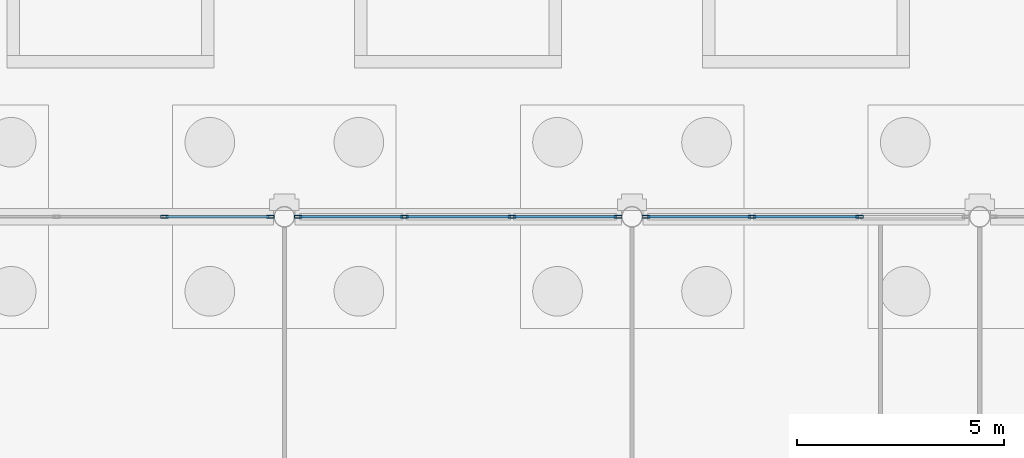
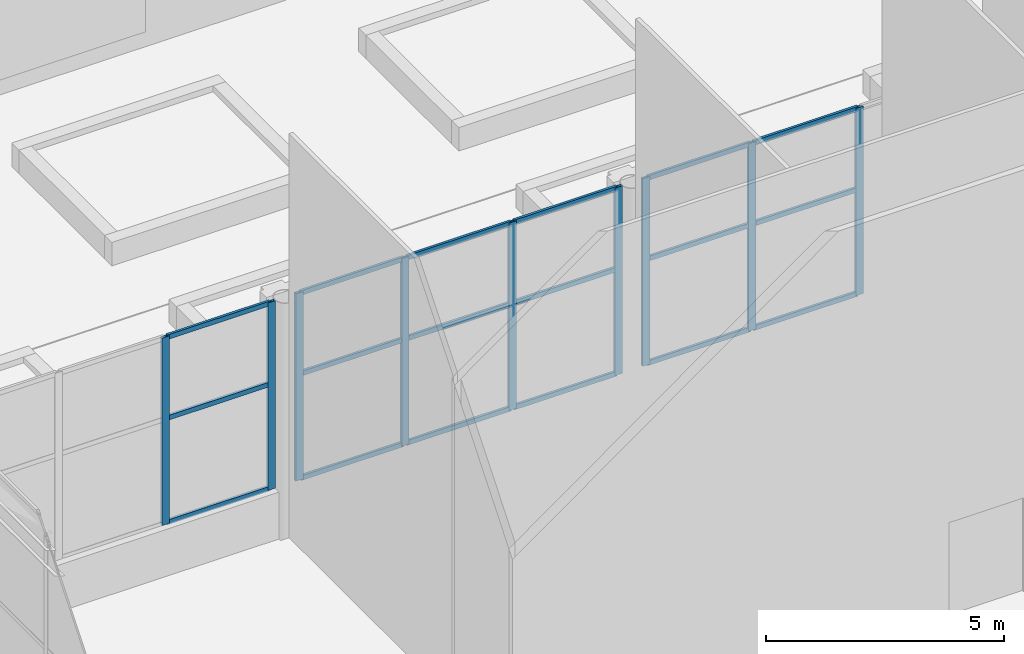
# One storey, part 139 of 212: 27 members, 3 elements without a shape of their own.
"""IFC4 building model written with IfcOpenShell, lengths in metres."""

from ifc_helpers import new_model, si_unit, direction, frame, origin, origin_2d, place, context, subcontext, project, spatial, hollow_rectangle, extrude, material, material_profile, profile_set, type_object, element, aggregate, save


model = new_model("IFC4")

# Units and contexts
model_context = context("Model", 3, precision=1e-05, world=origin(), true_north=direction((0.0, 1.0)))
body_context = subcontext(model_context, "Body", "Model", "MODEL_VIEW")
ifc_project = project(units=[si_unit("LENGTHUNIT", "METRE"), si_unit("AREAUNIT", "SQUARE_METRE"), si_unit("VOLUMEUNIT", "CUBIC_METRE"), si_unit("PLANEANGLEUNIT", "RADIAN"), si_unit("MASSUNIT", "GRAM", prefix="KILO")], contexts=[model_context])

# Site, building, storey
site_placement = place(None, origin())
site = spatial("IfcSite", under=ifc_project, at=site_placement, CompositionType="ELEMENT")
building_placement = place(site_placement, origin())
building = spatial("IfcBuilding", under=site, at=building_placement, Name="Catenary Quay Ferry Terminal", CompositionType="ELEMENT")
storey_placement = place(building_placement, origin())
storey = spatial("IfcBuildingStorey", under=building, at=storey_placement, Name="L00", CompositionType="ELEMENT", Elevation=0.0)

# Curtain wall, members
ifc_material_1 = material(Name="Aluminium and glass", Category="aluminium")
curtain_wall_type_1 = type_object("IfcCurtainWallType", Name="CWH", PredefinedType="NOTDEFINED", material=ifc_material_1)
curtain_wall_1_placement = place(storey_placement, origin())
curtain_wall_1 = element("IfcCurtainWall", 1, at=curtain_wall_1_placement, inside=storey, type_object=curtain_wall_type_1, Name="Hall curtain wall CW40", PredefinedType="NOTDEFINED")
ifc_material_2 = material(Name="Aluminium", Category="aluminium")
ifc_material_profile_1 = material_profile(ifc_material_2, hollow_rectangle(XDim=0.070068359375, YDim=0.179931640625, WallThickness=0.006103515625, at=origin_2d()), Name="MU3")
ifc_profile_set_1 = profile_set([ifc_material_profile_1], Name="Aluminium")
member_type_1 = type_object("IfcMemberType", Name="MU3", PredefinedType="MULLION", material=ifc_profile_set_1)
member_1_placement = place(storey_placement, frame((30.699951171875, 142.800048828125, 1.199951171875), z_axis=(0.0, 0.0, 1.0), x_axis=(0.0, 1.0, 0.0)))
member_1 = element("IfcMember", 2, at=member_1_placement, type_object=member_type_1, Name="CW40 mullion 3", PredefinedType="MULLION", context=body_context, shape_type="SweptSolid", body=[
    extrude(hollow_rectangle(XDim=0.070068359375, YDim=0.179931640625, WallThickness=0.006103515625, at=origin_2d()), origin(), (0.0, 0.0, 1.0), 4.800048828125),
])
member_2_placement = place(storey_placement, frame((33.264892578125, 142.800048828125, 1.199951171875), z_axis=(0.0, 0.0, 1.0), x_axis=(0.0, 1.0, 0.0)))
member_2 = element("IfcMember", 3, at=member_2_placement, type_object=member_type_1, Name="CW40 mullion 4", PredefinedType="MULLION", context=body_context, shape_type="SweptSolid", body=[
    extrude(hollow_rectangle(XDim=0.070068359375, YDim=0.179931640625, WallThickness=0.006103515625, at=origin_2d()), origin(), (0.0, 0.0, 1.0), 4.800048828125),
])

ifc_material_3 = material(Name="Aluminium and glass", Category="aluminium")
curtain_wall_type_2 = type_object("IfcCurtainWallType", Name="CWW4", PredefinedType="NOTDEFINED", material=ifc_material_3)
curtain_wall_2_placement = place(storey_placement, origin())
curtain_wall_2 = element("IfcCurtainWall", 4, at=curtain_wall_2_placement, inside=storey, type_object=curtain_wall_type_2, Name="Hall curtain wall CW41", PredefinedType="NOTDEFINED")
member_3_placement = place(storey_placement, frame((33.93505859375, 142.800048828125, 1.199951171875), z_axis=(0.0, 0.0, 1.0), x_axis=(0.0, 1.0, 0.0)))
member_3 = element("IfcMember", 5, at=member_3_placement, type_object=member_type_1, Name="CW41 mullion 1", PredefinedType="MULLION", context=body_context, shape_type="SweptSolid", body=[
    extrude(hollow_rectangle(XDim=0.070068359375, YDim=0.179931640625, WallThickness=0.006103515625, at=origin_2d()), origin(), (0.0, 0.0, 1.0), 4.800048828125),
])
member_4_placement = place(storey_placement, frame((36.5, 142.800048828125, 1.199951171875), z_axis=(0.0, 0.0, 1.0), x_axis=(0.0, 1.0, 0.0)))
member_4 = element("IfcMember", 6, at=member_4_placement, type_object=member_type_1, Name="CW41 mullion 2", PredefinedType="MULLION", context=body_context, shape_type="SweptSolid", body=[
    extrude(hollow_rectangle(XDim=0.070068359375, YDim=0.179931640625, WallThickness=0.006103515625, at=origin_2d()), origin(), (0.0, 0.0, 1.0), 4.800048828125),
])
member_5_placement = place(storey_placement, frame((39.10009765625, 142.800048828125, 1.199951171875), z_axis=(0.0, 0.0, 1.0), x_axis=(0.0, 1.0, 0.0)))
member_5 = element("IfcMember", 7, at=member_5_placement, type_object=member_type_1, Name="CW41 mullion 3", PredefinedType="MULLION", context=body_context, shape_type="SweptSolid", body=[
    extrude(hollow_rectangle(XDim=0.070068359375, YDim=0.179931640625, WallThickness=0.006103515625, at=origin_2d()), origin(), (0.0, 0.0, 1.0), 4.800048828125),
])
member_6_placement = place(storey_placement, frame((41.6650390625, 142.800048828125, 1.199951171875), z_axis=(0.0, 0.0, 1.0), x_axis=(0.0, 1.0, 0.0)))
member_6 = element("IfcMember", 8, at=member_6_placement, type_object=member_type_1, Name="CW41 mullion 4", PredefinedType="MULLION", context=body_context, shape_type="SweptSolid", body=[
    extrude(hollow_rectangle(XDim=0.070068359375, YDim=0.179931640625, WallThickness=0.006103515625, at=origin_2d()), origin(), (0.0, 0.0, 1.0), 4.800048828125),
])

curtain_wall_3_placement = place(storey_placement, origin())
curtain_wall_3 = element("IfcCurtainWall", 9, at=curtain_wall_3_placement, inside=storey, type_object=curtain_wall_type_2, Name="Hall curtain wall CW42", PredefinedType="NOTDEFINED")
member_7_placement = place(storey_placement, frame((42.3349609375, 142.800048828125, 1.199951171875), z_axis=(0.0, 0.0, 1.0), x_axis=(0.0, 1.0, 0.0)))
member_7 = element("IfcMember", 10, at=member_7_placement, type_object=member_type_1, Name="CW42 mullion 1", PredefinedType="MULLION", context=body_context, shape_type="SweptSolid", body=[
    extrude(hollow_rectangle(XDim=0.070068359375, YDim=0.179931640625, WallThickness=0.006103515625, at=origin_2d()), origin(), (0.0, 0.0, 1.0), 4.800048828125),
])
member_8_placement = place(storey_placement, frame((44.89990234375, 142.800048828125, 1.199951171875), z_axis=(0.0, 0.0, 1.0), x_axis=(0.0, 1.0, 0.0)))
member_8 = element("IfcMember", 11, at=member_8_placement, type_object=member_type_1, Name="CW42 mullion 2", PredefinedType="MULLION", context=body_context, shape_type="SweptSolid", body=[
    extrude(hollow_rectangle(XDim=0.070068359375, YDim=0.179931640625, WallThickness=0.006103515625, at=origin_2d()), origin(), (0.0, 0.0, 1.0), 4.800048828125),
])
member_9_placement = place(storey_placement, frame((47.5, 142.800048828125, 1.199951171875), z_axis=(0.0, 0.0, 1.0), x_axis=(0.0, 1.0, 0.0)))
member_9 = element("IfcMember", 12, at=member_9_placement, type_object=member_type_1, Name="CW42 mullion 3", PredefinedType="MULLION", context=body_context, shape_type="SweptSolid", body=[
    extrude(hollow_rectangle(XDim=0.070068359375, YDim=0.179931640625, WallThickness=0.006103515625, at=origin_2d()), origin(), (0.0, 0.0, 1.0), 4.800048828125),
])

# Member
ifc_material_4 = material(Name="Aluminium", Category="aluminium")
ifc_material_profile_2 = material_profile(ifc_material_4, hollow_rectangle(XDim=0.06005859375, YDim=0.1201171875, WallThickness=0.0048828125, at=origin_2d()), Name="TR3")
ifc_profile_set_2 = profile_set([ifc_material_profile_2], Name="Aluminium")
member_type_2 = type_object("IfcMemberType", Name="TR3", PredefinedType="USERDEFINED", material=ifc_profile_set_2)
member_10_placement = place(storey_placement, frame((30.735107421875, 142.800048828125, 1.22998046875), z_axis=(1.0, 0.0, 0.0), x_axis=(0.0, 1.0, 0.0)))
member_10 = element("IfcMember", 13, at=member_10_placement, type_object=member_type_2, Name="CW40 transom 3.1", ObjectType="TRANSOM", PredefinedType="USERDEFINED", context=body_context, shape_type="SweptSolid", body=[
    extrude(hollow_rectangle(XDim=0.06005859375, YDim=0.1201171875, WallThickness=0.0048828125, at=origin_2d()), origin(), (0.0, 0.0, 1.0), 2.494873046875),
])

member_11_placement = place(storey_placement, frame((30.735107421875, 142.800048828125, 3.89990234375), z_axis=(1.0, 0.0, 0.0), x_axis=(0.0, 1.0, 0.0)))
member_11 = element("IfcMember", 14, at=member_11_placement, type_object=member_type_2, Name="CW40 transom 3.2", ObjectType="TRANSOM", PredefinedType="USERDEFINED", context=body_context, shape_type="SweptSolid", body=[
    extrude(hollow_rectangle(XDim=0.06005859375, YDim=0.1201171875, WallThickness=0.0048828125, at=origin_2d()), origin(), (0.0, 0.0, 1.0), 2.494873046875),
])

member_12_placement = place(storey_placement, frame((30.735107421875, 142.800048828125, 5.969970703125), z_axis=(1.0, 0.0, 0.0), x_axis=(0.0, 1.0, 0.0)))
member_12 = element("IfcMember", 15, at=member_12_placement, type_object=member_type_2, Name="CW40 transom 3.3", ObjectType="TRANSOM", PredefinedType="USERDEFINED", context=body_context, shape_type="SweptSolid", body=[
    extrude(hollow_rectangle(XDim=0.06005859375, YDim=0.1201171875, WallThickness=0.0048828125, at=origin_2d()), origin(), (0.0, 0.0, 1.0), 2.494873046875),
])

aggregate(curtain_wall_1, [member_1, member_2, member_10, member_11, member_12])

member_13_placement = place(storey_placement, frame((33.969970703125, 142.800048828125, 1.22998046875), z_axis=(1.0, 0.0, 0.0), x_axis=(0.0, 1.0, 0.0)))
member_13 = element("IfcMember", 16, at=member_13_placement, type_object=member_type_2, Name="CW41 transom 1.1", ObjectType="TRANSOM", PredefinedType="USERDEFINED", context=body_context, shape_type="SweptSolid", body=[
    extrude(hollow_rectangle(XDim=0.06005859375, YDim=0.1201171875, WallThickness=0.0048828125, at=origin_2d()), origin(), (0.0, 0.0, 1.0), 2.4951171875),
])

member_14_placement = place(storey_placement, frame((33.969970703125, 142.800048828125, 3.89990234375), z_axis=(1.0, 0.0, 0.0), x_axis=(0.0, 1.0, 0.0)))
member_14 = element("IfcMember", 17, at=member_14_placement, type_object=member_type_2, Name="CW41 transom 1.2", ObjectType="TRANSOM", PredefinedType="USERDEFINED", context=body_context, shape_type="SweptSolid", body=[
    extrude(hollow_rectangle(XDim=0.06005859375, YDim=0.1201171875, WallThickness=0.0048828125, at=origin_2d()), origin(), (0.0, 0.0, 1.0), 2.4951171875),
])

member_15_placement = place(storey_placement, frame((33.969970703125, 142.800048828125, 5.969970703125), z_axis=(1.0, 0.0, 0.0), x_axis=(0.0, 1.0, 0.0)))
member_15 = element("IfcMember", 18, at=member_15_placement, type_object=member_type_2, Name="CW41 transom 1.3", ObjectType="TRANSOM", PredefinedType="USERDEFINED", context=body_context, shape_type="SweptSolid", body=[
    extrude(hollow_rectangle(XDim=0.06005859375, YDim=0.1201171875, WallThickness=0.0048828125, at=origin_2d()), origin(), (0.0, 0.0, 1.0), 2.4951171875),
])

member_16_placement = place(storey_placement, frame((36.534912109375, 142.800048828125, 1.22998046875), z_axis=(1.0, 0.0, 0.0), x_axis=(0.0, 1.0, 0.0)))
member_16 = element("IfcMember", 19, at=member_16_placement, type_object=member_type_2, Name="CW41 transom 2.1", ObjectType="TRANSOM", PredefinedType="USERDEFINED", context=body_context, shape_type="SweptSolid", body=[
    extrude(hollow_rectangle(XDim=0.06005859375, YDim=0.1201171875, WallThickness=0.0048828125, at=origin_2d()), origin(), (0.0, 0.0, 1.0), 2.530029296875),
])

member_17_placement = place(storey_placement, frame((36.534912109375, 142.800048828125, 3.89990234375), z_axis=(1.0, 0.0, 0.0), x_axis=(0.0, 1.0, 0.0)))
member_17 = element("IfcMember", 20, at=member_17_placement, type_object=member_type_2, Name="CW41 transom 2.2", ObjectType="TRANSOM", PredefinedType="USERDEFINED", context=body_context, shape_type="SweptSolid", body=[
    extrude(hollow_rectangle(XDim=0.06005859375, YDim=0.1201171875, WallThickness=0.0048828125, at=origin_2d()), origin(), (0.0, 0.0, 1.0), 2.530029296875),
])

member_18_placement = place(storey_placement, frame((36.534912109375, 142.800048828125, 5.969970703125), z_axis=(1.0, 0.0, 0.0), x_axis=(0.0, 1.0, 0.0)))
member_18 = element("IfcMember", 21, at=member_18_placement, type_object=member_type_2, Name="CW41 transom 2.3", ObjectType="TRANSOM", PredefinedType="USERDEFINED", context=body_context, shape_type="SweptSolid", body=[
    extrude(hollow_rectangle(XDim=0.06005859375, YDim=0.1201171875, WallThickness=0.0048828125, at=origin_2d()), origin(), (0.0, 0.0, 1.0), 2.530029296875),
])

member_19_placement = place(storey_placement, frame((39.135009765625, 142.800048828125, 1.22998046875), z_axis=(1.0, 0.0, 0.0), x_axis=(0.0, 1.0, 0.0)))
member_19 = element("IfcMember", 22, at=member_19_placement, type_object=member_type_2, Name="CW41 transom 3.1", ObjectType="TRANSOM", PredefinedType="USERDEFINED", context=body_context, shape_type="SweptSolid", body=[
    extrude(hollow_rectangle(XDim=0.06005859375, YDim=0.1201171875, WallThickness=0.0048828125, at=origin_2d()), origin(), (0.0, 0.0, 1.0), 2.494873046875),
])

member_20_placement = place(storey_placement, frame((39.135009765625, 142.800048828125, 3.89990234375), z_axis=(1.0, 0.0, 0.0), x_axis=(0.0, 1.0, 0.0)))
member_20 = element("IfcMember", 23, at=member_20_placement, type_object=member_type_2, Name="CW41 transom 3.2", ObjectType="TRANSOM", PredefinedType="USERDEFINED", context=body_context, shape_type="SweptSolid", body=[
    extrude(hollow_rectangle(XDim=0.06005859375, YDim=0.1201171875, WallThickness=0.0048828125, at=origin_2d()), origin(), (0.0, 0.0, 1.0), 2.494873046875),
])

member_21_placement = place(storey_placement, frame((39.135009765625, 142.800048828125, 5.969970703125), z_axis=(1.0, 0.0, 0.0), x_axis=(0.0, 1.0, 0.0)))
member_21 = element("IfcMember", 24, at=member_21_placement, type_object=member_type_2, Name="CW41 transom 3.3", ObjectType="TRANSOM", PredefinedType="USERDEFINED", context=body_context, shape_type="SweptSolid", body=[
    extrude(hollow_rectangle(XDim=0.06005859375, YDim=0.1201171875, WallThickness=0.0048828125, at=origin_2d()), origin(), (0.0, 0.0, 1.0), 2.494873046875),
])

aggregate(curtain_wall_2, [member_3, member_4, member_5, member_6, member_13, member_14, member_15, member_16, member_17, member_18, member_19, member_20, member_21])

member_22_placement = place(storey_placement, frame((42.3701171875, 142.800048828125, 1.22998046875), z_axis=(1.0, 0.0, 0.0), x_axis=(0.0, 1.0, 0.0)))
member_22 = element("IfcMember", 25, at=member_22_placement, type_object=member_type_2, Name="CW42 transom 1.1", ObjectType="TRANSOM", PredefinedType="USERDEFINED", context=body_context, shape_type="SweptSolid", body=[
    extrude(hollow_rectangle(XDim=0.06005859375, YDim=0.1201171875, WallThickness=0.0048828125, at=origin_2d()), origin(), (0.0, 0.0, 1.0), 2.494873046875),
])

member_23_placement = place(storey_placement, frame((42.3701171875, 142.800048828125, 3.89990234375), z_axis=(1.0, 0.0, 0.0), x_axis=(0.0, 1.0, 0.0)))
member_23 = element("IfcMember", 26, at=member_23_placement, type_object=member_type_2, Name="CW42 transom 1.2", ObjectType="TRANSOM", PredefinedType="USERDEFINED", context=body_context, shape_type="SweptSolid", body=[
    extrude(hollow_rectangle(XDim=0.06005859375, YDim=0.1201171875, WallThickness=0.0048828125, at=origin_2d()), origin(), (0.0, 0.0, 1.0), 2.494873046875),
])

member_24_placement = place(storey_placement, frame((42.3701171875, 142.800048828125, 5.969970703125), z_axis=(1.0, 0.0, 0.0), x_axis=(0.0, 1.0, 0.0)))
member_24 = element("IfcMember", 27, at=member_24_placement, type_object=member_type_2, Name="CW42 transom 1.3", ObjectType="TRANSOM", PredefinedType="USERDEFINED", context=body_context, shape_type="SweptSolid", body=[
    extrude(hollow_rectangle(XDim=0.06005859375, YDim=0.1201171875, WallThickness=0.0048828125, at=origin_2d()), origin(), (0.0, 0.0, 1.0), 2.494873046875),
])

member_25_placement = place(storey_placement, frame((44.93505859375, 142.800048828125, 1.22998046875), z_axis=(1.0, 0.0, 0.0), x_axis=(0.0, 1.0, 0.0)))
member_25 = element("IfcMember", 28, at=member_25_placement, type_object=member_type_2, Name="CW42 transom 2.1", ObjectType="TRANSOM", PredefinedType="USERDEFINED", context=body_context, shape_type="SweptSolid", body=[
    extrude(hollow_rectangle(XDim=0.06005859375, YDim=0.1201171875, WallThickness=0.0048828125, at=origin_2d()), origin(), (0.0, 0.0, 1.0), 2.530029296875),
])

member_26_placement = place(storey_placement, frame((44.93505859375, 142.800048828125, 3.89990234375), z_axis=(1.0, 0.0, 0.0), x_axis=(0.0, 1.0, 0.0)))
member_26 = element("IfcMember", 29, at=member_26_placement, type_object=member_type_2, Name="CW42 transom 2.2", ObjectType="TRANSOM", PredefinedType="USERDEFINED", context=body_context, shape_type="SweptSolid", body=[
    extrude(hollow_rectangle(XDim=0.06005859375, YDim=0.1201171875, WallThickness=0.0048828125, at=origin_2d()), origin(), (0.0, 0.0, 1.0), 2.530029296875),
])

member_27_placement = place(storey_placement, frame((44.93505859375, 142.800048828125, 5.969970703125), z_axis=(1.0, 0.0, 0.0), x_axis=(0.0, 1.0, 0.0)))
member_27 = element("IfcMember", 30, at=member_27_placement, type_object=member_type_2, Name="CW42 transom 2.3", ObjectType="TRANSOM", PredefinedType="USERDEFINED", context=body_context, shape_type="SweptSolid", body=[
    extrude(hollow_rectangle(XDim=0.06005859375, YDim=0.1201171875, WallThickness=0.0048828125, at=origin_2d()), origin(), (0.0, 0.0, 1.0), 2.530029296875),
])

aggregate(curtain_wall_3, [member_7, member_8, member_9, member_22, member_23, member_24, member_25, member_26, member_27])

save(model, "model.ifc")
